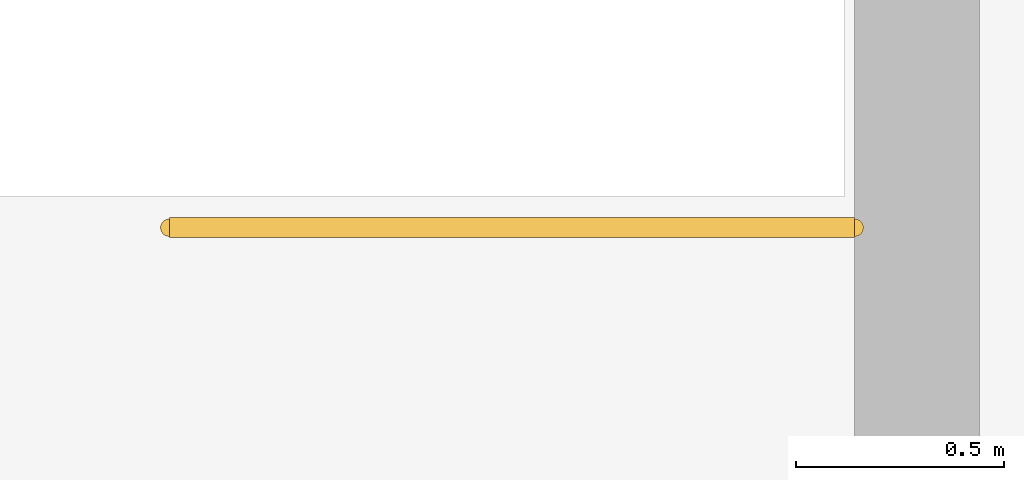
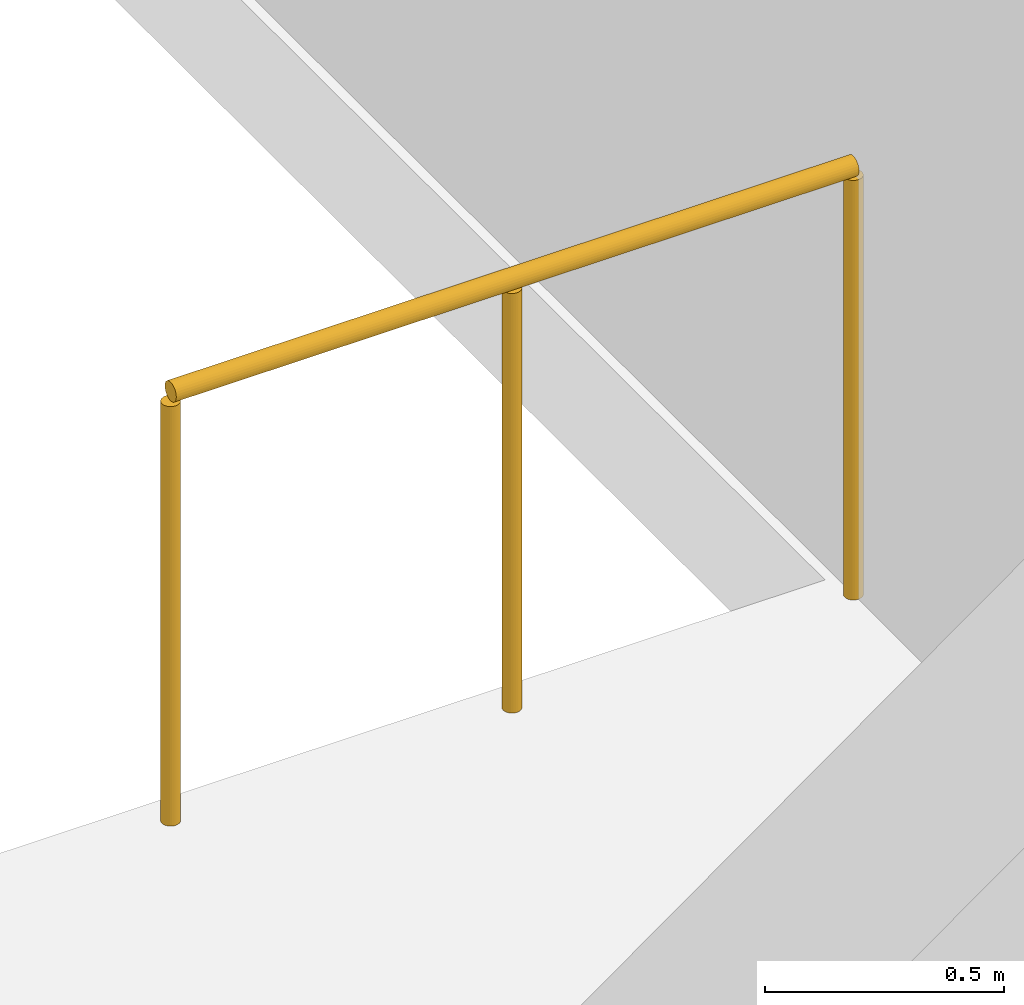
# One storey, part 66 of 68: 1 railing.
"""IFC4 building model written with IfcOpenShell, lengths in metres."""

from ifc_helpers import new_model, si_unit, direction, frame, origin, origin_2d, place, context, subcontext, project, spatial, circle, extrude, material, type_object, element, save


model = new_model("IFC4")

# Units and contexts
model_context = context("Model", 3, precision=1e-05, world=origin(), true_north=direction((0.0, 1.0)))
body_context = subcontext(model_context, "Body", "Model", "MODEL_VIEW")
ifc_project = project(units=[si_unit("LENGTHUNIT", "METRE"), si_unit("AREAUNIT", "SQUARE_METRE"), si_unit("VOLUMEUNIT", "CUBIC_METRE"), si_unit("PLANEANGLEUNIT", "RADIAN"), si_unit("MASSUNIT", "GRAM", prefix="KILO")], contexts=[model_context])

# Site, building, storey
site_placement = place(None, origin())
site = spatial("IfcSite", under=ifc_project, at=site_placement, CompositionType="ELEMENT")
building_placement = place(site_placement, origin())
building = spatial("IfcBuilding", under=site, at=building_placement, Name="Miralva Faculty of Natural Sciences", CompositionType="ELEMENT")
storey_placement = place(building_placement, frame((0.0, 0.0, 5.39990234375)))
storey = spatial("IfcBuildingStorey", under=building, at=storey_placement, Name="L01", CompositionType="ELEMENT", Elevation=5.39990234375)

# Railing
ifc_material = material(Name="Steel S355", Category="steel")
railing_type = type_object("IfcRailingType", Name="RL-GR01", PredefinedType="GUARDRAIL", material=ifc_material)
railing_placement = place(storey_placement, frame((73.35009765625, 105.64990234375, 0.0)))
element("IfcRailing", 1, at=railing_placement, inside=storey, type_object=railing_type, Name="Stair Core C5 top well guard 1", PredefinedType="GUARDRAIL", context=body_context, shape_type="SweptSolid", body=[
    extrude(circle(Radius=0.02392578125, at=origin_2d()), frame((0.0, 0.0, 1.09619140625), z_axis=(-1.0, 0.0, 0.0), x_axis=(0.0, -1.0, 0.0)), (0.0, 0.0, 1.0), 1.650146484375),
    extrude(circle(Radius=0.02099609375, at=origin_2d()), origin(), (0.0, 0.0, 1.0), 1.072021484375),
    extrude(circle(Radius=0.02099609375, at=origin_2d()), frame((-0.8251953125, 0.0, 0.0)), (0.0, 0.0, 1.0), 1.072021484375),
    extrude(circle(Radius=0.02099609375, at=origin_2d()), frame((-1.650146484375, 0.0, 0.0)), (0.0, 0.0, 1.0), 1.072021484375),
])

save(model, "model.ifc")
